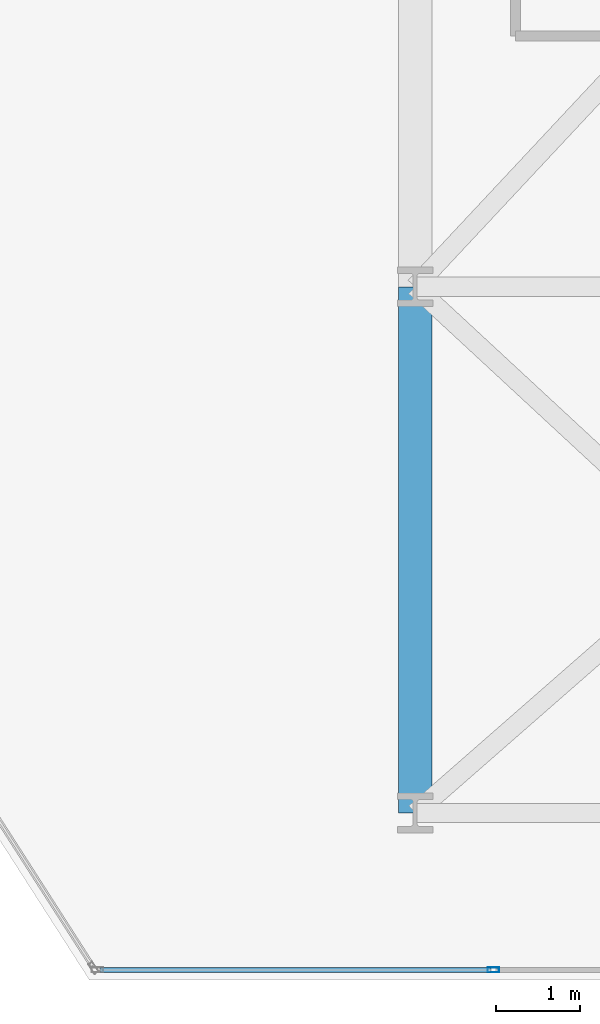
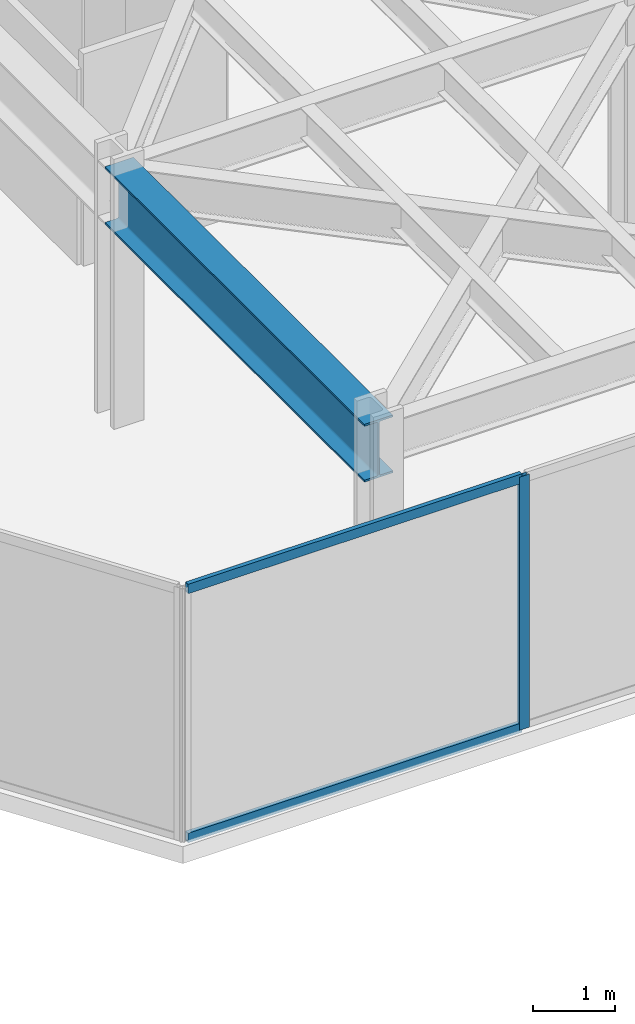
# One storey, part 16 of 26: 3 members, 1 beam, 1 element without a shape of its own.
"""IFC4 building model written with IfcOpenShell, lengths in metres."""

import ifcopenshell
import ifcopenshell.guid

model = None  # the IFC model being written
_history = None  # IfcOwnerHistory: only IFC2X3 demands one
_inside = {}  # id of a spatial element -> (the spatial element, [elements in it])
_under = {}  # id of a project, library or spatial element -> (it, [spatial elements below it])
_declared = {}  # id of a project -> (the project, [libraries it declares])
_typed = {}  # id of a type object -> (the type object, [elements of that type])
_made_of = {}  # id of a material, layer set ... -> (it, [elements and type objects made of it])


def new_model(schema):
    """Start an empty IFC model of exactly this schema.

    Asked for "IFC4X3", IfcOpenShell would pick the latest addendum, in which some entities
    have other attributes; the version numbers below select the first issue.
    IFC2X3 requires an IfcOwnerHistory on every rooted entity: one is made here for all.
    """
    global model, _history
    if schema == "IFC4X3":
        model = ifcopenshell.file(schema_version=(4, 3, 0, 0))
    else:
        model = ifcopenshell.file(schema=schema)
    _inside.clear()
    _under.clear()
    _declared.clear()
    _typed.clear()
    _made_of.clear()
    _history = None
    if model.schema == "IFC2X3":
        org = make("IfcOrganization", Name="unknown")
        user = make(
            "IfcPersonAndOrganization",
            ThePerson=make("IfcPerson", FamilyName="unknown"),
            TheOrganization=org,
        )
        app = make(
            "IfcApplication",
            ApplicationDeveloper=org,
            Version="unknown",
            ApplicationFullName="unknown",
            ApplicationIdentifier="unknown",
        )
        _history = make(
            "IfcOwnerHistory",
            OwningUser=user,
            OwningApplication=app,
            ChangeAction="ADDED",
            CreationDate=0,
        )
    return model


def make(cls, **values):
    """One entity of the class cls with the attributes given. An attribute that is None is left unset."""
    return model.create_entity(
        cls, **{name: value for name, value in values.items() if value is not None}
    )


def rooted(cls, **values):
    """An entity with a GlobalId (a new one), such as an element, a storey or a relation."""
    return make(cls, GlobalId=ifcopenshell.guid.new(), OwnerHistory=_history, **values)


def si_unit(unit_type, name, prefix=None):
    """IfcSIUnit, for example si_unit("LENGTHUNIT", "METRE", prefix="MILLI")."""
    return make("IfcSIUnit", UnitType=unit_type, Prefix=prefix, Name=name)


def assignment(units):
    """IfcUnitAssignment: the units of a project."""
    return None if units is None else make("IfcUnitAssignment", Units=units)


def point(xyz):
    """IfcCartesianPoint."""
    return None if xyz is None else make("IfcCartesianPoint", Coordinates=xyz)


def direction(xyz):
    """IfcDirection."""
    return None if xyz is None else make("IfcDirection", DirectionRatios=xyz)


def frame(location, z_axis=None, x_axis=None):
    """IfcAxis2Placement3D, a coordinate frame: its origin and axes. An axis left out is left unset."""
    return make(
        "IfcAxis2Placement3D",
        Location=point(location),
        Axis=direction(z_axis),
        RefDirection=direction(x_axis),
    )


def frame_2d(location, x_axis=None):
    """IfcAxis2Placement2D, a coordinate frame in the plane: its origin and x axis."""
    return make(
        "IfcAxis2Placement2D", Location=point(location), RefDirection=direction(x_axis)
    )


def origin():
    """The frame at (0, 0, 0) with its axes left unset."""
    return frame((0.0, 0.0, 0.0))


def origin_2d():
    """The frame at (0, 0) in the plane with its x axis left unset."""
    return frame_2d((0.0, 0.0))


def place(relative_to, where):
    """IfcLocalPlacement: puts the frame where relative to a parent placement (None: the world)."""
    return make(
        "IfcLocalPlacement", PlacementRelTo=relative_to, RelativePlacement=where
    )


def context(
    kind, dimensions, precision=None, world=None, true_north=None, identifier=None
):
    """IfcGeometricRepresentationContext, for example the 3D "Model" context."""
    return make(
        "IfcGeometricRepresentationContext",
        ContextIdentifier=identifier,
        ContextType=kind,
        CoordinateSpaceDimension=dimensions,
        Precision=precision,
        WorldCoordinateSystem=world,
        TrueNorth=true_north,
    )


def subcontext(parent, identifier, kind, view, scale=None):
    """IfcGeometricRepresentationSubContext, for example "Body" below "Model"."""
    return make(
        "IfcGeometricRepresentationSubContext",
        ContextIdentifier=identifier,
        ContextType=kind,
        ParentContext=parent,
        TargetScale=scale,
        TargetView=view,
    )


def project(units=None, contexts=None):
    """IfcProject with its units and contexts."""
    return rooted(
        "IfcProject",
        Name="project",
        RepresentationContexts=contexts,
        UnitsInContext=assignment(units),
    )


def spatial(cls, under=None, at=None, **own):
    """A site, building, storey or space (cls), placed at a placement, below another one or the project."""
    s = rooted(cls, ObjectPlacement=at, **own)
    if under is not None:
        _under.setdefault(under.id(), (under, []))[1].append(s)
    return s


def profile(cls, at=None, kind="AREA", **sizes):
    """A parametric profile (cls). Its sizes go by their IFC names, for example OverallWidth=200.0."""
    return make(cls, ProfileType=kind, Position=at, **sizes)


def hollow_rectangle(**sizes):
    """IfcRectangleHollowProfileDef."""
    return profile("IfcRectangleHollowProfileDef", **sizes)


def i_section(**sizes):
    """IfcIShapeProfileDef."""
    return profile("IfcIShapeProfileDef", **sizes)


def extrude(swept, where, along, depth):
    """IfcExtrudedAreaSolid: the profile swept, set in the frame where, extruded along a direction by depth."""
    return make(
        "IfcExtrudedAreaSolid",
        SweptArea=swept,
        Position=where,
        ExtrudedDirection=direction(along),
        Depth=depth,
    )


def shape(context_of_items, identifier, shape_type, items):
    """IfcShapeRepresentation: the items that make up one representation, for example the "Body"."""
    return make(
        "IfcShapeRepresentation",
        ContextOfItems=context_of_items,
        RepresentationIdentifier=identifier,
        RepresentationType=shape_type,
        Items=items,
    )


def material(Name=None, Category=None):
    """IfcMaterial."""
    return make("IfcMaterial", Name=Name, Category=Category)


def layer(
    of_material, thickness, ventilated=None, Name=None, Category=None, Priority=None
):
    """IfcMaterialLayer: one layer of a wall or slab, of a material (None: an air gap)."""
    return make(
        "IfcMaterialLayer",
        Material=of_material,
        LayerThickness=thickness,
        IsVentilated=ventilated,
        Name=Name,
        Category=Category,
        Priority=Priority,
    )


def layer_set(layers, Name=None):
    """IfcMaterialLayerSet."""
    return make("IfcMaterialLayerSet", MaterialLayers=layers, LayerSetName=Name)


def material_profile(
    of_material, cross_section, Name=None, Category=None, Priority=None
):
    """IfcMaterialProfile: a cross section and its material."""
    return make(
        "IfcMaterialProfile",
        Name=Name,
        Material=of_material,
        Profile=cross_section,
        Priority=Priority,
        Category=Category,
    )


def profile_set(profiles, Name=None, composite=None):
    """IfcMaterialProfileSet."""
    return make(
        "IfcMaterialProfileSet",
        Name=Name,
        MaterialProfiles=profiles,
        CompositeProfile=composite,
    )


def made_of(thing, what):
    """Note that an element or type object is made of a material, layer set ...; save() writes the relation."""
    if what is not None:
        _made_of.setdefault(what.id(), (what, []))[1].append(thing)
    return thing


def type_object(cls, material=None, **own):
    """A type object (cls), such as IfcWallType, which elements share."""
    return made_of(rooted(cls, **own), material)


def element(
    cls,
    number,
    at=None,
    inside=None,
    cuts=None,
    type_object=None,
    material=None,
    context=None,
    identifier="Body",
    shape_type=None,
    held_by="IfcProductDefinitionShape",
    body=None,
    shapes=None,
    **own,
):
    """One element of the class cls, such as IfcWall. Its Tag is "e" and its number.

    at: its placement. inside: the storey or other place that contains it. cuts: it is an
    opening in that element (IfcRelVoidsElement). A single representation is given by context,
    identifier, shape_type and body (its items); several are given by shapes. held_by: the class
    of the entity that holds the representations. save() writes the other relations.
    """
    e = rooted(cls, Tag="e%d" % number, ObjectPlacement=at, **own)
    if body is not None:
        shapes = [shape(context, identifier, shape_type, body)]
    if shapes is not None:
        e.Representation = make(held_by, Representations=shapes)
    if inside is not None:
        _inside.setdefault(inside.id(), (inside, []))[1].append(e)
    if cuts is not None:
        rooted(
            "IfcRelVoidsElement", RelatingBuildingElement=cuts, RelatedOpeningElement=e
        )
    if type_object is not None:
        _typed.setdefault(type_object.id(), (type_object, []))[1].append(e)
    return made_of(e, material)


def aggregate(whole, parts):
    """IfcRelAggregates: a whole, such as a stair, and the parts it consists of."""
    return rooted("IfcRelAggregates", RelatingObject=whole, RelatedObjects=parts)


def save(model, path):
    """Write the relations noted so far, then the file.

    IfcRelAggregates (storeys below a building ...), IfcRelContainedInSpatialStructure (elements
    in a storey), IfcRelDefinesByType, IfcRelAssociatesMaterial and IfcRelDeclares: one each for
    every whole, place, type object, material and project.
    """
    for whole, parts in _under.values():
        aggregate(whole, parts)
    for where, things in _inside.values():
        rooted(
            "IfcRelContainedInSpatialStructure",
            RelatedElements=things,
            RelatingStructure=where,
        )
    for kind, things in _typed.values():
        rooted("IfcRelDefinesByType", RelatedObjects=things, RelatingType=kind)
    for what, things in _made_of.values():
        rooted("IfcRelAssociatesMaterial", RelatedObjects=things, RelatingMaterial=what)
    for by, libraries in _declared.values():
        rooted("IfcRelDeclares", RelatingContext=by, RelatedDefinitions=libraries)
    model.write(path)


model = new_model("IFC4")

# Units and contexts
model_context = context("Model", 3, precision=1e-05, world=origin(), true_north=direction((0.0, 1.0)))
body_context = subcontext(model_context, "Body", "Model", "MODEL_VIEW")
ifc_project = project(units=[si_unit("LENGTHUNIT", "METRE"), si_unit("AREAUNIT", "SQUARE_METRE"), si_unit("VOLUMEUNIT", "CUBIC_METRE"), si_unit("PLANEANGLEUNIT", "RADIAN"), si_unit("MASSUNIT", "GRAM", prefix="KILO")], contexts=[model_context])

# Site, building, storey
site_placement = place(None, origin())
site = spatial("IfcSite", under=ifc_project, at=site_placement, CompositionType="ELEMENT")
building_placement = place(site_placement, origin())
building = spatial("IfcBuilding", under=site, at=building_placement, Name="Kravanh Interchange Tower", CompositionType="ELEMENT")
storey_placement = place(building_placement, frame((0.0, 0.0, 108.0)))
storey = spatial("IfcBuildingStorey", under=building, at=storey_placement, Name="L25", CompositionType="ELEMENT", Elevation=108.0)

# Curtain wall, members
ifc_material_1 = material(Name="Anodised Bronze Aluminium", Category="aluminium")
ifc_layer = layer(ifc_material_1, 0.179931640625)
ifc_layer_set = layer_set([ifc_layer], Name="Unitised Curtain Wall System CW-Z2 Mid Office")
curtain_wall_type = type_object("IfcCurtainWallType", Name="Unitised Curtain Wall System CW-Z2 Mid Office", PredefinedType="NOTDEFINED", material=ifc_layer_set)
curtain_wall_placement = place(storey_placement, origin())
curtain_wall = element("IfcCurtainWall", 1, at=curtain_wall_placement, inside=storey, type_object=curtain_wall_type, Name="L25 Unitised Curtain Wall CW-L25-03", PredefinedType="NOTDEFINED")
ifc_material_2 = material(Name="Anodised Bronze Aluminium", Category="aluminium")
ifc_material_profile_1 = material_profile(ifc_material_2, hollow_rectangle(XDim=0.06005859375, YDim=0.139892578125, WallThickness=0.00390625, at=origin_2d()), Name="ALU60X140X4")
ifc_profile_set_1 = profile_set([ifc_material_profile_1], Name="Anodised Bronze Aluminium")
member_type_1 = type_object("IfcMemberType", Name="Curtain Wall Mullion ALU60X140X4 Bronze", PredefinedType="MULLION", material=ifc_profile_set_1)
member_1_placement = place(storey_placement, frame((56.93798828125, 6.320068359375, 0.0), z_axis=(0.0, 0.0, 1.0), x_axis=(0.0, -1.0, 0.0)))
member_1 = element("IfcMember", 2, at=member_1_placement, type_object=member_type_1, Name="CW-Z2 mullion 2", PredefinedType="MULLION", context=body_context, shape_type="SweptSolid", body=[
    extrude(hollow_rectangle(XDim=0.06005859375, YDim=0.139892578125, WallThickness=0.00390625, at=origin_2d()), origin(), (0.0, 0.0, 1.0), 3.75),
])
ifc_material_3 = material(Name="Anodised Bronze Aluminium", Category="aluminium")
ifc_material_profile_2 = material_profile(ifc_material_3, hollow_rectangle(XDim=0.06005859375, YDim=0.139892578125, WallThickness=0.00390625, at=origin_2d()), Name="ALU60X140X4")
ifc_profile_set_2 = profile_set([ifc_material_profile_2], Name="Anodised Bronze Aluminium")
member_type_2 = type_object("IfcMemberType", Name="Curtain Wall Transom ALU60X140X4 Bronze", PredefinedType="USERDEFINED", material=ifc_profile_set_2)
member_2_placement = place(storey_placement, frame((56.907958984375, 6.320068359375, 0.030029296875), z_axis=(-1.0, 0.0, 0.0), x_axis=(0.0, -1.0, 0.0)))
member_2 = element("IfcMember", 3, at=member_2_placement, type_object=member_type_2, Name="CW-Z2 transom 2.1", ObjectType="TRANSOM", PredefinedType="USERDEFINED", context=body_context, shape_type="SweptSolid", body=[
    extrude(hollow_rectangle(XDim=0.06005859375, YDim=0.139892578125, WallThickness=0.00390625, at=origin_2d()), origin(), (0.0, 0.0, 1.0), 4.682373046875),
])
member_3_placement = place(storey_placement, frame((56.907958984375, 6.320068359375, 3.719970703125), z_axis=(-1.0, 0.0, 0.0), x_axis=(0.0, -1.0, 0.0)))
member_3 = element("IfcMember", 4, at=member_3_placement, type_object=member_type_2, Name="CW-Z2 transom 2.2", ObjectType="TRANSOM", PredefinedType="USERDEFINED", context=body_context, shape_type="SweptSolid", body=[
    extrude(hollow_rectangle(XDim=0.06005859375, YDim=0.139892578125, WallThickness=0.00390625, at=origin_2d()), origin(), (0.0, 0.0, 1.0), 4.682373046875),
])
aggregate(curtain_wall, [member_1, member_2, member_3])

# Beam
ifc_material_4 = material(Name="Structural Steel S355", Category="steel")
ifc_material_profile_3 = material_profile(ifc_material_4, i_section(OverallWidth=0.39990234375, OverallDepth=0.85595703125, WebThickness=0.018310546875, FlangeThickness=0.029296875, FilletRadius=0.02490234375, at=origin_2d()), Name="W33X201")
ifc_profile_set_3 = profile_set([ifc_material_profile_3], Name="Structural Steel S355")
beam_type = type_object("IfcBeamType", Name="Floor Beam W33X201 Structural Steel S355", PredefinedType="BEAM", material=ifc_profile_set_3)
beam_placement = place(storey_placement, frame((56.0, 8.199951171875, 3.322021484375), z_axis=(0.0, 1.0, 0.0), x_axis=(-1.0, 0.0, 0.0)))
element("IfcBeam", 5, at=beam_placement, inside=storey, type_object=beam_type, Name="L25 Primary Floor Girder 95", PredefinedType="BEAM", context=body_context, shape_type="SweptSolid", body=[
    extrude(i_section(OverallWidth=0.39990234375, OverallDepth=0.85595703125, WebThickness=0.018310546875, FlangeThickness=0.029296875, FilletRadius=0.02490234375, at=origin_2d()), origin(), (0.0, 0.0, 1.0), 6.300048828125),
])

save(model, "model.ifc")
